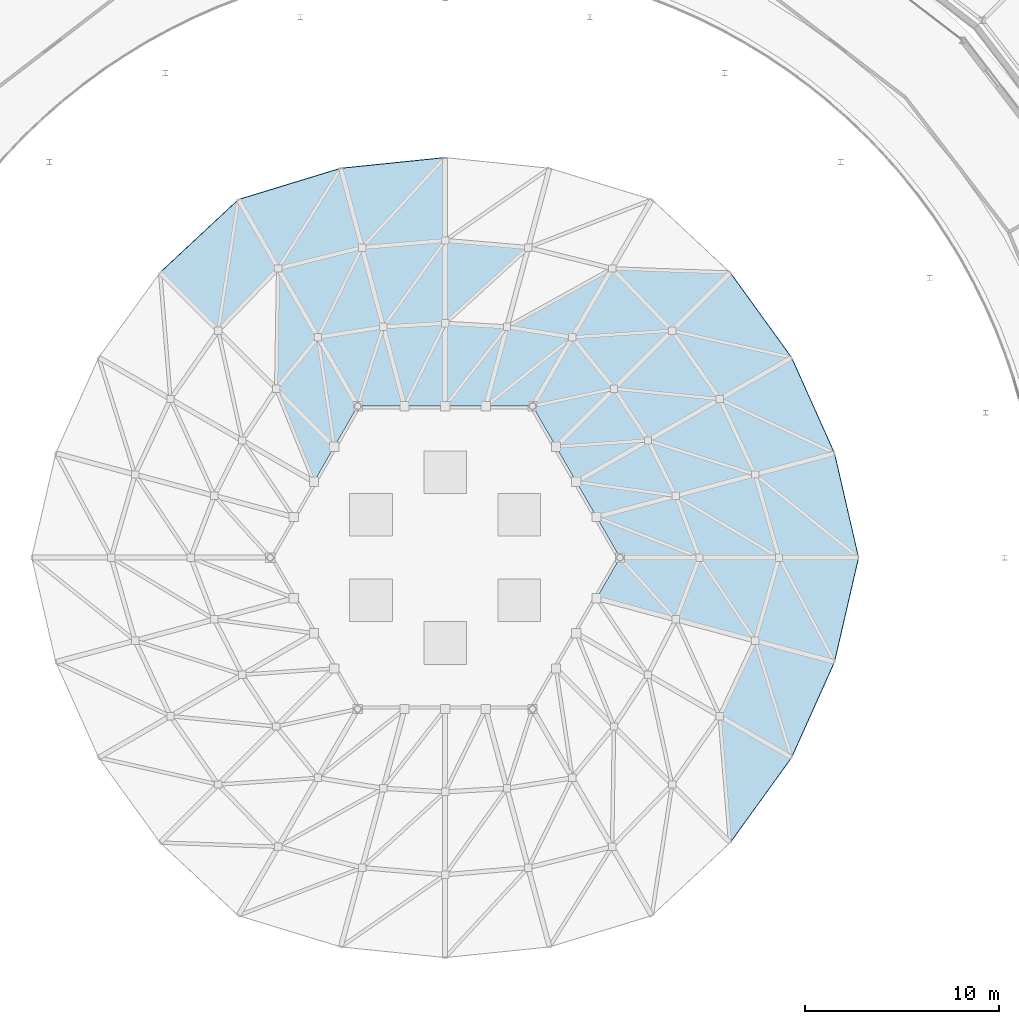
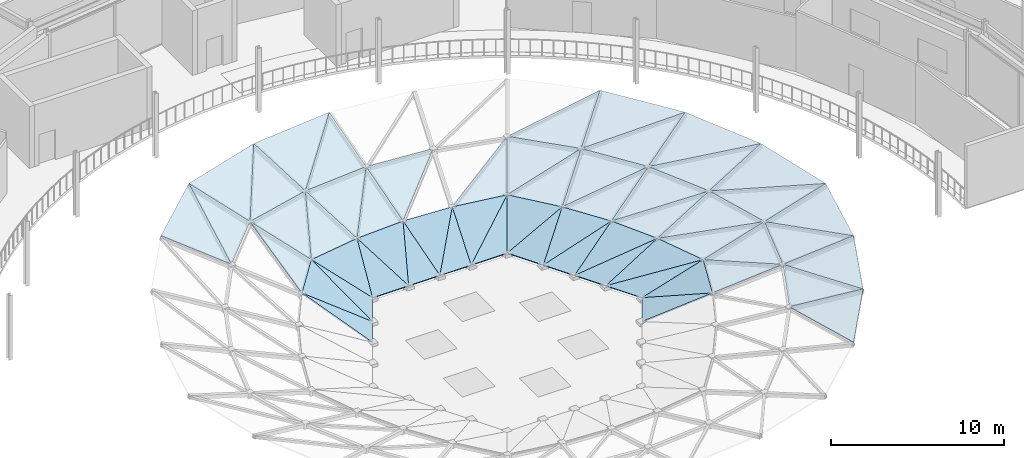
# One storey, part 95 of 116: 56 roofs.
"""IFC4 building model written with IfcOpenShell, lengths in metres."""

from ifc_helpers import new_model, si_unit, direction, frame, origin, place, context, subcontext, project, spatial, polyline, outline, extrude, material, layer, layer_set, type_object, element, save


model = new_model("IFC4")

# Units and contexts
model_context = context("Model", 3, precision=1e-05, world=origin(), true_north=direction((0.0, 1.0)))
body_context = subcontext(model_context, "Body", "Model", "MODEL_VIEW")
ifc_project = project(units=[si_unit("LENGTHUNIT", "METRE"), si_unit("AREAUNIT", "SQUARE_METRE"), si_unit("VOLUMEUNIT", "CUBIC_METRE"), si_unit("PLANEANGLEUNIT", "RADIAN"), si_unit("MASSUNIT", "GRAM", prefix="KILO")], contexts=[model_context])

# Site, building, storey
site_placement = place(None, origin())
site = spatial("IfcSite", under=ifc_project, at=site_placement, CompositionType="ELEMENT")
building_placement = place(site_placement, origin())
building = spatial("IfcBuilding", under=site, at=building_placement, Name="Almandine Court Research Institute", CompositionType="ELEMENT")
storey_placement = place(building_placement, frame((0.0, 0.0, 14.35009765625)))
storey = spatial("IfcBuildingStorey", under=building, at=storey_placement, Name="L03", CompositionType="ELEMENT", Elevation=14.35009765625)

# Roofs
ifc_material = material(Name="Insulated Laminated Low-E Glass Roof Panel", Category="glass")
ifc_layer = layer(ifc_material, 0.080078125)
ifc_layer_set = layer_set([ifc_layer], Name="Insulated Laminated Low-E Glass Roof Panel")
roof_type = type_object("IfcRoofType", Name="Roof-GS-Facet", PredefinedType="PAVILION_ROOF", material=ifc_layer_set)
roof_1_placement = place(storey_placement, frame((108.279052734375, 56.0, 4.930908203125), z_axis=(-0.277966490196, -0.064133475984, 0.958447456873), x_axis=(-0.224817447322, 0.974400900749, 0.0)))
element("IfcRoof", 1, at=roof_1_placement, inside=storey, type_object=roof_type, Name="Atrium Conical Gridshell Roof Facet R4-S00-1", PredefinedType="PAVILION_ROOF", context=body_context, shape_type="SweptSolid", body=[
    extrude(outline(polyline([(0.0, 0.0), (5.51119891553336, 0.0), (5.362683994164227, 4.4066461377195925), (0.0, 0.0)])), origin(), (0.0, 0.0, -1.0), 0.080078125),
])
roof_2_placement = place(storey_placement, frame((108.279052734375, 56.0, 4.930908203125), z_axis=(-0.292554817802, -0.084021396228, 0.952550305001), x_axis=(-0.766615252197, 0.616035766322, -0.181110435126)))
element("IfcRoof", 2, at=roof_2_placement, inside=storey, type_object=roof_type, Name="Atrium Conical Gridshell Roof Facet R4-S00-2", PredefinedType="PAVILION_ROOF", context=body_context, shape_type="SweptSolid", body=[
    extrude(outline(polyline([(0.0, 0.0), (6.94095885338216, -6.661338147750939e-16), (3.3654400228382633, 2.6470467828010493), (0.0, 0.0)])), origin(), (0.0, 0.0, -1.0), 0.080078125),
])
roof_3_placement = place(storey_placement, frame((107.0400390625, 61.3701171875, 4.930908203125), z_axis=(-0.259163415969, -0.116245815372, 0.958812408259), x_axis=(-0.409258497227, 0.912418479892, 0.0)))
element("IfcRoof", 3, at=roof_3_placement, inside=storey, type_object=roof_type, Name="Atrium Conical Gridshell Roof Facet R4-S01-1", PredefinedType="PAVILION_ROOF", context=body_context, shape_type="SweptSolid", body=[
    extrude(outline(polyline([(0.0, 0.0), (5.39752843244166, 0.0), (4.963349350704812, 4.425713751667219), (0.0, 0.0)])), origin(), (0.0, 0.0, -1.0), 0.080078125),
])
roof_4_placement = place(storey_placement, frame((107.0400390625, 61.3701171875, 4.930908203125), z_axis=(-0.261896050242, -0.12272161319, 0.957261648936), x_axis=(-0.887687863886, 0.41985187193, -0.189036139259)))
element("IfcRoof", 4, at=roof_4_placement, inside=storey, type_object=roof_type, Name="Atrium Conical Gridshell Roof Facet R4-S01-2", PredefinedType="PAVILION_ROOF", context=body_context, shape_type="SweptSolid", body=[
    extrude(outline(polyline([(0.0, 0.0), (6.649945788413482, 1.6653345369377348e-16), (3.4017851746166565, 2.805074774530369), (0.0, 0.0)])), origin(), (0.0, 0.0, -1.0), 0.080078125),
])
roof_5_placement = place(storey_placement, frame((104.8310546875, 66.294921875, 4.930908203125), z_axis=(-0.233848985594, -0.168966331778, 0.9574784753), x_axis=(-0.585662293375, 0.810555166611, 0.0)))
element("IfcRoof", 5, at=roof_5_placement, inside=storey, type_object=roof_type, Name="Atrium Conical Gridshell Roof Facet R4-S02-1", PredefinedType="PAVILION_ROOF", context=body_context, shape_type="SweptSolid", body=[
    extrude(outline(polyline([(0.0, 0.0), (5.397535146552004, 0.0), (4.725546895689076, 4.357225452914407), (0.0, 0.0)])), origin(), (0.0, 0.0, -1.0), 0.080078125),
])
roof_6_placement = place(storey_placement, frame((104.8310546875, 66.294921875, 4.930908203125), z_axis=(-0.23263468825, -0.162264994454, 0.95893230908), x_axis=(-0.956657038881, 0.215776735534, -0.195570218494)))
element("IfcRoof", 6, at=roof_6_placement, inside=storey, type_object=roof_type, Name="Atrium Conical Gridshell Roof Facet R4-S02-2", PredefinedType="PAVILION_ROOF", context=body_context, shape_type="SweptSolid", body=[
    extrude(outline(polyline([(0.0, 0.0), (6.4277684394260675, -2.220446049250313e-16), (3.319615026541278, 2.9589879625093998), (0.0, 0.0)])), origin(), (0.0, 0.0, -1.0), 0.080078125),
])
roof_7_placement = place(storey_placement, frame((101.669921875, 70.669921875, 4.930908203125), z_axis=(-0.205217101532, -0.1980175998, 0.958475336881), x_axis=(-0.978690071539, 0.03432551655, -0.202453705289)))
element("IfcRoof", 7, at=roof_7_placement, inside=storey, type_object=roof_type, Name="Atrium Conical Gridshell Roof Facet R4-S03-2", PredefinedType="PAVILION_ROOF", context=body_context, shape_type="SweptSolid", body=[
    extrude(outline(polyline([(0.0, 0.0), (6.209222381628365, 0.0), (3.076296854745098, 3.158065787520644), (0.0, 0.0)])), origin(), (0.0, 0.0, -1.0), 0.080078125),
])
roof_8_placement = place(storey_placement, frame((87.0, 76.590087890625, 4.930908203125), z_axis=(0.029394924214, -0.286982136268, 0.957484825934), x_axis=(-0.994795200438, -0.101894598408, 0.0)))
element("IfcRoof", 8, at=roof_8_placement, inside=storey, type_object=roof_type, Name="Atrium Conical Gridshell Roof Facet R4-S06-1", PredefinedType="PAVILION_ROOF", context=body_context, shape_type="SweptSolid", body=[
    extrude(outline(polyline([(0.0, 0.0), (5.398213808363336, -1.1102230246251565e-16), (4.725607752948539, 4.3575437988811565), (0.0, 0.0)])), origin(), (0.0, 0.0, -1.0), 0.080078125),
])
roof_9_placement = place(storey_placement, frame((87.0, 76.590087890625, 4.930908203125), z_axis=(0.024184624014, -0.282568048691, 0.958942334982), x_axis=(-0.665192848103, -0.720606595127, -0.195562291589)))
element("IfcRoof", 9, at=roof_9_placement, inside=storey, type_object=roof_type, Name="Atrium Conical Gridshell Roof Facet R4-S06-2", PredefinedType="PAVILION_ROOF", context=body_context, shape_type="SweptSolid", body=[
    extrude(outline(polyline([(0.0, 0.0), (6.428028982036015, -3.885780586188048e-16), (3.320026826817718, 2.959289563474158), (0.0, 0.0)])), origin(), (0.0, 0.0, -1.0), 0.080078125),
])
roof_10_placement = place(storey_placement, frame((81.6298828125, 76.0400390625, 4.930908203125), z_axis=(0.087950302591, -0.287453502986, 0.95374798972), x_axis=(-0.956242466302, -0.292575367453, 0.0)))
element("IfcRoof", 10, at=roof_10_placement, inside=storey, type_object=roof_type, Name="Atrium Conical Gridshell Roof Facet R4-S07-1", PredefinedType="PAVILION_ROOF", context=body_context, shape_type="SweptSolid", body=[
    extrude(outline(polyline([(0.0, 0.0), (5.509898392714906, -2.220446049250313e-16), (4.590680245204652, 4.181801027849726), (0.0, 0.0)])), origin(), (0.0, 0.0, -1.0), 0.080078125),
])
roof_11_placement = place(storey_placement, frame((81.6298828125, 76.0400390625, 4.930908203125), z_axis=(0.068897368868, -0.276700470974, 0.958483177696), x_axis=(-0.519001013928, -0.830456663677, -0.202434377753)))
element("IfcRoof", 11, at=roof_11_placement, inside=storey, type_object=roof_type, Name="Atrium Conical Gridshell Roof Facet R4-S07-2", PredefinedType="PAVILION_ROOF", context=body_context, shape_type="SweptSolid", body=[
    extrude(outline(polyline([(0.0, 0.0), (6.209815210635279, -4.996003610813204e-16), (3.0765154988535137, 3.158423538770946), (0.0, 0.0)])), origin(), (0.0, 0.0, -1.0), 0.080078125),
])
roof_12_placement = place(storey_placement, frame((76.361083984375, 74.427978515625, 4.930908203125), z_axis=(0.194544958843, -0.208674840216, 0.958439914679), x_axis=(-0.73143670185, -0.681909342352, 0.0)))
element("IfcRoof", 12, at=roof_12_placement, inside=storey, type_object=roof_type, Name="Atrium Conical Gridshell Roof Facet R4-S08-1", PredefinedType="PAVILION_ROOF", context=body_context, shape_type="SweptSolid", body=[
    extrude(outline(polyline([(0.0, 0.0), (5.511079563249041, 0.0), (5.363089975140266, 4.406254751899209), (0.0, 0.0)])), origin(), (0.0, 0.0, -1.0), 0.080078125),
])
roof_13_placement = place(storey_placement, frame((76.361083984375, 74.427978515625, 4.930908203125), z_axis=(0.219049677449, -0.211364896208, 0.952545074766), x_axis=(-0.150261509077, -0.97191620291, -0.18110873367)))
element("IfcRoof", 13, at=roof_13_placement, inside=storey, type_object=roof_type, Name="Atrium Conical Gridshell Roof Facet R4-S08-2", PredefinedType="PAVILION_ROOF", context=body_context, shape_type="SweptSolid", body=[
    extrude(outline(polyline([(0.0, 0.0), (6.941024061338815, 5.551115123125783e-17), (3.3656154027943637, 2.646706406028168), (0.0, 0.0)])), origin(), (0.0, 0.0, -1.0), 0.080078125),
])
roof_14_placement = place(storey_placement, frame((101.669921875, 41.330078125, 4.930908203125), z_axis=(-0.230232956169, 0.166353589089, 0.958811383584), x_axis=(0.585662293375, 0.810555166611, 0.0)))
element("IfcRoof", 14, at=roof_14_placement, inside=storey, type_object=roof_type, Name="Atrium Conical Gridshell Roof Facet R4-S21-1", PredefinedType="PAVILION_ROOF", context=body_context, shape_type="SweptSolid", body=[
    extrude(outline(polyline([(0.0, 0.0), (5.397535146552004, 4.440892098500626e-16), (4.962807064144317, 4.4256598582675), (0.0, 0.0)])), origin(), (0.0, 0.0, -1.0), 0.080078125),
])
roof_15_placement = place(storey_placement, frame((104.8310546875, 45.705078125, 4.930908203125), z_axis=(-0.263214041256, 0.118062693103, 0.957486067253), x_axis=(0.409258497227, 0.912418479892, 0.0)))
element("IfcRoof", 15, at=roof_15_placement, inside=storey, type_object=roof_type, Name="Atrium Conical Gridshell Roof Facet R4-S22-1", PredefinedType="PAVILION_ROOF", context=body_context, shape_type="SweptSolid", body=[
    extrude(outline(polyline([(0.0, 0.0), (5.39752843244166, 0.0), (4.725325686651123, 4.357606032387501), (0.0, 0.0)])), origin(), (0.0, 0.0, -1.0), 0.080078125),
])
roof_16_placement = place(storey_placement, frame((104.8310546875, 45.705078125, 4.930908203125), z_axis=(-0.256834771019, 0.120349953325, 0.958932630131), x_axis=(-0.291394922162, 0.936398645851, -0.195567316764)))
element("IfcRoof", 16, at=roof_16_placement, inside=storey, type_object=roof_type, Name="Atrium Conical Gridshell Roof Facet R4-S22-2", PredefinedType="PAVILION_ROOF", context=body_context, shape_type="SweptSolid", body=[
    extrude(outline(polyline([(0.0, 0.0), (6.427863811440379, -3.885780586188048e-16), (3.3194461062989538, 2.9591774590400766), (0.0, 0.0)])), origin(), (0.0, 0.0, -1.0), 0.080078125),
])
roof_17_placement = place(storey_placement, frame((107.0400390625, 50.6298828125, 4.930908203125), z_axis=(-0.292921702461, 0.067583998908, 0.953744871189), x_axis=(0.224817447322, 0.974400900749, 0.0)))
element("IfcRoof", 17, at=roof_17_placement, inside=storey, type_object=roof_type, Name="Atrium Conical Gridshell Roof Facet R4-S23-1", PredefinedType="PAVILION_ROOF", context=body_context, shape_type="SweptSolid", body=[
    extrude(outline(polyline([(0.0, 0.0), (5.51119891553336, 0.0), (4.5910171517744685, 4.181663393830806), (0.0, 0.0)])), origin(), (0.0, 0.0, -1.0), 0.080078125),
])
roof_18_placement = place(storey_placement, frame((107.0400390625, 50.6298828125, 4.930908203125), z_axis=(-0.274069469727, 0.078712426215, 0.958483322611), x_axis=(-0.45958405155, 0.864757125568, -0.202429279849)))
element("IfcRoof", 18, at=roof_18_placement, inside=storey, type_object=roof_type, Name="Atrium Conical Gridshell Roof Facet R4-S23-2", PredefinedType="PAVILION_ROOF", context=body_context, shape_type="SweptSolid", body=[
    extrude(outline(polyline([(0.0, 0.0), (6.209971596327308, 2.7755575615628914e-16), (3.0767566261356807, 3.1581886467528286), (0.0, 0.0)])), origin(), (0.0, 0.0, -1.0), 0.080078125),
])
roof_19_placement = place(storey_placement, frame((104.18603515625, 56.0, 3.673828125), z_axis=(-0.274024583997, -0.078699535087, 0.958497214676), x_axis=(-0.276040029853, 0.96114613973, 0.0)))
element("IfcRoof", 19, at=roof_19_placement, inside=storey, type_object=roof_type, Name="Atrium Conical Gridshell Roof Facet R5-S00-1", PredefinedType="PAVILION_ROOF", context=body_context, shape_type="SweptSolid", body=[
    extrude(outline(polyline([(0.0, 0.0), (4.4487292093261175, 0.0), (4.5240449922872505, 4.408374577134621), (0.0, 0.0)])), origin(), (0.0, 0.0, -1.0), 0.080078125),
])
roof_20_placement = place(storey_placement, frame((104.18603515625, 56.0, 3.673828125), z_axis=(-0.291707988147, -0.11157556364, 0.949977548813), x_axis=(-0.840637552173, 0.503725481263, -0.198970212349)))
element("IfcRoof", 20, at=roof_20_placement, inside=storey, type_object=roof_type, Name="Atrium Conical Gridshell Roof Facet R5-S00-2", PredefinedType="PAVILION_ROOF", context=body_context, shape_type="SweptSolid", body=[
    extrude(outline(polyline([(0.0, 0.0), (6.31670400640763, 2.7755575615628914e-16), (3.6908171912495162, 2.1703220796482663), (0.0, 0.0)])), origin(), (0.0, 0.0, -1.0), 0.080078125),
])
roof_21_placement = place(storey_placement, frame((102.9580078125, 60.27587890625, 3.673828125), z_axis=(-0.256867608122, -0.120365340431, 0.958921903348), x_axis=(-0.424314361359, 0.905514948935, 0.0)))
element("IfcRoof", 21, at=roof_21_placement, inside=storey, type_object=roof_type, Name="Atrium Conical Gridshell Roof Facet R5-S01-1", PredefinedType="PAVILION_ROOF", context=body_context, shape_type="SweptSolid", body=[
    extrude(outline(polyline([(0.0, 0.0), (4.291735297490698, 0.0), (3.9280431541461507, 4.430623767964595), (0.0, 0.0)])), origin(), (0.0, 0.0, -1.0), 0.080078125),
])
roof_22_placement = place(storey_placement, frame((102.9580078125, 60.27587890625, 3.673828125), z_axis=(-0.25962706232, -0.130525691797, 0.956847340119), x_axis=(-0.931224729998, 0.296251923181, -0.212262338279)))
element("IfcRoof", 22, at=roof_22_placement, inside=storey, type_object=roof_type, Name="Atrium Conical Gridshell Roof Facet R5-S01-2", PredefinedType="PAVILION_ROOF", context=body_context, shape_type="SweptSolid", body=[
    extrude(outline(polyline([(0.0, 0.0), (5.921144314580352, 2.220446049250313e-16), (3.743969515443332, 2.328547003373761), (0.0, 0.0)])), origin(), (0.0, 0.0, -1.0), 0.080078125),
])
roof_23_placement = place(storey_placement, frame((101.136962890625, 64.162109375, 3.673828125), z_axis=(-0.237217411891, -0.16546148949, 0.957261926012), x_axis=(-0.572090824344, 0.820190275912, 0.0)))
element("IfcRoof", 23, at=roof_23_placement, inside=storey, type_object=roof_type, Name="Atrium Conical Gridshell Roof Facet R5-S02-1", PredefinedType="PAVILION_ROOF", context=body_context, shape_type="SweptSolid", body=[
    extrude(outline(polyline([(0.0, 0.0), (4.291413217146875, 0.0), (3.5501434202018345, 4.345568928247767), (0.0, 0.0)])), origin(), (0.0, 0.0, -1.0), 0.080078125),
])
roof_24_placement = place(storey_placement, frame((101.136962890625, 64.162109375, 3.673828125), z_axis=(-0.236658485504, -0.155458946489, 0.95907521978), x_axis=(-0.969971656582, 0.094804352727, -0.223980177989)))
element("IfcRoof", 24, at=roof_24_placement, inside=storey, type_object=roof_type, Name="Atrium Conical Gridshell Roof Facet R5-S02-2", PredefinedType="PAVILION_ROOF", context=body_context, shape_type="SweptSolid", body=[
    extrude(outline(polyline([(0.0, 0.0), (5.611371277518074, 5.551115123125783e-17), (3.6613561575635334, 2.521342903267013), (0.0, 0.0)])), origin(), (0.0, 0.0, -1.0), 0.080078125),
])
roof_25_placement = place(storey_placement, frame((98.681884765625, 67.681884765625, 3.673828125), z_axis=(-0.219000955683, -0.211317883717, 0.952566708127), x_axis=(-0.694371168279, 0.719617037502, 0.0)))
element("IfcRoof", 25, at=roof_25_placement, inside=storey, type_object=roof_type, Name="Atrium Conical Gridshell Roof Facet R5-S03-1", PredefinedType="PAVILION_ROOF", context=body_context, shape_type="SweptSolid", body=[
    extrude(outline(polyline([(0.0, 0.0), (4.448438138864603, -4.440892098500626e-16), (3.319615221296734, 4.129847521212984), (0.0, 0.0)])), origin(), (0.0, 0.0, -1.0), 0.080078125),
])
roof_26_placement = place(storey_placement, frame((98.681884765625, 67.681884765625, 3.673828125), z_axis=(-0.222398188269, -0.180624114692, 0.958078271879), x_axis=(-0.969304478605, -0.064690948708, -0.237200145261)))
element("IfcRoof", 26, at=roof_26_placement, inside=storey, type_object=roof_type, Name="Atrium Conical Gridshell Roof Facet R5-S03-2", PredefinedType="PAVILION_ROOF", context=body_context, shape_type="SweptSolid", body=[
    extrude(outline(polyline([(0.0, 0.0), (5.298630555712862, 2.7755575615628914e-17), (3.3874859343880916, 2.8210617267862497), (0.0, 0.0)])), origin(), (0.0, 0.0, -1.0), 0.080078125),
])
roof_27_placement = place(storey_placement, frame((95.593017578125, 70.883056640625, 3.673828125), z_axis=(-0.049227625642, -0.308461779775, 0.949962089397), x_axis=(-0.856619589335, -0.476041485374, -0.198965784421)))
element("IfcRoof", 27, at=roof_27_placement, inside=storey, type_object=roof_type, Name="Atrium Conical Gridshell Roof Facet R5-S04-2", PredefinedType="PAVILION_ROOF", context=body_context, shape_type="SweptSolid", body=[
    extrude(outline(polyline([(0.0, 0.0), (6.316844582903866, 1.1102230246251565e-16), (3.690734696402816, 2.169875371643238), (0.0, 0.0)])), origin(), (0.0, 0.0, -1.0), 0.080078125),
])
roof_28_placement = place(storey_placement, frame((91.27587890625, 71.9580078125, 3.673828125), z_axis=(-0.024186668983, -0.28259194167, 0.958935242624), x_axis=(-0.996357290731, 0.085276897271, 0.0)))
element("IfcRoof", 28, at=roof_28_placement, inside=storey, type_object=roof_type, Name="Atrium Conical Gridshell Roof Facet R5-S05-1", PredefinedType="PAVILION_ROOF", context=body_context, shape_type="SweptSolid", body=[
    extrude(outline(polyline([(0.0, 0.0), (4.291511635464669, 1.1102230246251565e-16), (3.9278148292078763, 4.431328233143628), (0.0, 0.0)])), origin(), (0.0, 0.0, -1.0), 0.080078125),
])
roof_29_placement = place(storey_placement, frame((87.0, 72.323974609375, 3.673828125), z_axis=(0.024660696234, -0.288130376146, 0.957273595375), x_axis=(-0.996357290731, -0.085276897271, 0.0)))
element("IfcRoof", 29, at=roof_29_placement, inside=storey, type_object=roof_type, Name="Atrium Conical Gridshell Roof Facet R5-S06-1", PredefinedType="PAVILION_ROOF", context=body_context, shape_type="SweptSolid", body=[
    extrude(outline(polyline([(0.0, 0.0), (4.291511635464669, -1.1102230246251565e-16), (3.549605556999933, 4.346149358941427), (0.0, 0.0)])), origin(), (0.0, 0.0, -1.0), 0.080078125),
])
roof_30_placement = place(storey_placement, frame((87.0, 72.323974609375, 3.673828125), z_axis=(0.016264707479, -0.282637243436, 0.959088967674), x_axis=(-0.567031239341, -0.792660335268, -0.223975816783)))
element("IfcRoof", 30, at=roof_30_placement, inside=storey, type_object=roof_type, Name="Atrium Conical Gridshell Roof Facet R5-S06-2", PredefinedType="PAVILION_ROOF", context=body_context, shape_type="SweptSolid", body=[
    extrude(outline(polyline([(0.0, 0.0), (5.611480540865466, -3.0531133177191805e-16), (3.6621120365239217, 2.5214838307401117), (0.0, 0.0)])), origin(), (0.0, 0.0, -1.0), 0.080078125),
])
roof_31_placement = place(storey_placement, frame((82.72412109375, 71.9580078125, 3.673828125), z_axis=(0.073538424794, -0.295339533415, 0.952557956284), x_axis=(-0.970371254748, -0.241618765744, 0.0)))
element("IfcRoof", 31, at=roof_31_placement, inside=storey, type_object=roof_type, Name="Atrium Conical Gridshell Roof Facet R5-S07-1", PredefinedType="PAVILION_ROOF", context=body_context, shape_type="SweptSolid", body=[
    extrude(outline(polyline([(0.0, 0.0), (4.448955645330045, 1.1102230246251565e-16), (3.3187737684950145, 4.129475832714017), (0.0, 0.0)])), origin(), (0.0, 0.0, -1.0), 0.080078125),
])
roof_32_placement = place(storey_placement, frame((82.72412109375, 71.9580078125, 3.673828125), z_axis=(0.045146782352, -0.282891093236, 0.958088929803), x_axis=(-0.428482325092, -0.871849549194, -0.237236718603)))
element("IfcRoof", 32, at=roof_32_placement, inside=storey, type_object=roof_type, Name="Atrium Conical Gridshell Roof Facet R5-S07-2", PredefinedType="PAVILION_ROOF", context=body_context, shape_type="SweptSolid", body=[
    extrude(outline(polyline([(0.0, 0.0), (5.297813698066373, 1.942890293094024e-16), (3.3883275857332125, 2.821112378344619), (0.0, 0.0)])), origin(), (0.0, 0.0, -1.0), 0.080078125),
])
roof_33_placement = place(storey_placement, frame((78.406982421875, 70.883056640625, 3.673828125), z_axis=(0.242412801021, -0.196879290768, 0.94998662031), x_axis=(-0.016002627322, -0.979871020808, -0.198989191918)))
element("IfcRoof", 33, at=roof_33_placement, inside=storey, type_object=roof_type, Name="Atrium Conical Gridshell Roof Facet R5-S08-2", PredefinedType="PAVILION_ROOF", context=body_context, shape_type="SweptSolid", body=[
    extrude(outline(polyline([(0.0, 0.0), (6.316101519819079, 0.0), (3.6899467939311013, 2.1712149561139853), (0.0, 0.0)])), origin(), (0.0, 0.0, -1.0), 0.080078125),
])
roof_34_placement = place(storey_placement, frame((102.9580078125, 51.72412109375, 3.673828125), z_axis=(-0.292503262667, 0.084006589655, 0.952567443399), x_axis=(0.276040029853, 0.96114613973, 0.0)))
element("IfcRoof", 34, at=roof_34_placement, inside=storey, type_object=roof_type, Name="Atrium Conical Gridshell Roof Facet R5-S23-1", PredefinedType="PAVILION_ROOF", context=body_context, shape_type="SweptSolid", body=[
    extrude(outline(polyline([(0.0, 0.0), (4.4487292093261175, 0.0), (3.318892514871909, 4.129878752759763), (0.0, 0.0)])), origin(), (0.0, 0.0, -1.0), 0.080078125),
])
roof_35_placement = place(storey_placement, frame((102.9580078125, 51.72412109375, 3.673828125), z_axis=(-0.267563351652, 0.102340467121, 0.95808991313), x_axis=(-0.540747625793, 0.807043367545, -0.23721932489)))
element("IfcRoof", 35, at=roof_35_placement, inside=storey, type_object=roof_type, Name="Atrium Conical Gridshell Roof Facet R5-S23-2", PredefinedType="PAVILION_ROOF", context=body_context, shape_type="SweptSolid", body=[
    extrude(outline(polyline([(0.0, 0.0), (5.298202151463203, -4.163336342344337e-16), (3.3883951947655864, 2.821031173804958), (0.0, 0.0)])), origin(), (0.0, 0.0, -1.0), 0.080078125),
])
roof_36_placement = place(storey_placement, frame((100.093017578125, 56.0, 2.4169921875), z_axis=(-0.267611059546, -0.102358714942, 0.958074639203), x_axis=(-0.357249639578, 0.934008937335, 0.0)))
element("IfcRoof", 36, at=roof_36_placement, inside=storey, type_object=roof_type, Name="Atrium Conical Gridshell Roof Facet R6-S00-1", PredefinedType="PAVILION_ROOF", context=body_context, shape_type="SweptSolid", body=[
    extrude(outline(polyline([(0.0, 0.0), (3.406696272847052, 0.0), (3.8432001609182174, 4.387427148593571), (0.0, 0.0)])), origin(), (0.0, 0.0, -1.0), 0.080078125),
])
roof_37_placement = place(storey_placement, frame((100.093017578125, 56.0, 2.4169921875), z_axis=(-0.289459851461, -0.167204357603, 0.942473181152), x_axis=(-0.908520171014, 0.357966574638, -0.215525010852)))
element("IfcRoof", 37, at=roof_37_placement, inside=storey, type_object=roof_type, Name="Atrium Conical Gridshell Roof Facet R6-S00-2", PredefinedType="PAVILION_ROOF", context=body_context, shape_type="SweptSolid", body=[
    extrude(outline(polyline([(0.0, 0.0), (5.832641293710571, 5.551115123125783e-17), (3.9895212275214598, 1.5545943499236905), (0.0, 0.0)])), origin(), (0.0, 0.0, -1.0), 0.080078125),
])
roof_38_placement = place(storey_placement, frame((98.8759765625, 59.181884765625, 2.4169921875), z_axis=(-0.252943825079, -0.127165740964, 0.959087220058), x_axis=(-0.449173106182, 0.893444749653, 0.0)))
element("IfcRoof", 38, at=roof_38_placement, inside=storey, type_object=roof_type, Name="Atrium Conical Gridshell Roof Facet R6-S01-1", PredefinedType="PAVILION_ROOF", context=body_context, shape_type="SweptSolid", body=[
    extrude(outline(polyline([(0.0, 0.0), (3.187823905569165, 2.220446049250313e-16), (2.9413423362126205, 4.440241209060591), (0.0, 0.0)])), origin(), (0.0, 0.0, -1.0), 0.080078125),
])
roof_39_placement = place(storey_placement, frame((98.8759765625, 59.181884765625, 2.4169921875), z_axis=(-0.25489647489, -0.147090057575, 0.955715596844), x_axis=(-0.962427667896, 0.134261318311, -0.236023054963)))
element("IfcRoof", 39, at=roof_39_placement, inside=storey, type_object=roof_type, Name="Atrium Conical Gridshell Roof Facet R6-S01-2", PredefinedType="PAVILION_ROOF", context=body_context, shape_type="SweptSolid", body=[
    extrude(outline(polyline([(0.0, 0.0), (5.326090192011077, -2.7755575615628914e-17), (4.078478601041782, 1.675131317049925), (0.0, 0.0)])), origin(), (0.0, 0.0, -1.0), 0.080078125),
])
roof_40_placement = place(storey_placement, frame((97.444091796875, 62.030029296875, 2.4169921875), z_axis=(-0.242948220284, -0.159590619776, 0.956821298018), x_axis=(-0.549031151656, 0.835801887119, 0.0)))
element("IfcRoof", 40, at=roof_40_placement, inside=storey, type_object=roof_type, Name="Atrium Conical Gridshell Roof Facet R6-S02-1", PredefinedType="PAVILION_ROOF", context=body_context, shape_type="SweptSolid", body=[
    extrude(outline(polyline([(0.0, 0.0), (3.1874329803003314, 0.0), (2.3305513808538896, 4.32466597338489), (0.0, 0.0)])), origin(), (0.0, 0.0, -1.0), 0.080078125),
])
roof_41_placement = place(storey_placement, frame((97.444091796875, 62.030029296875, 2.4169921875), z_axis=(-0.244835211581, -0.141284124793, 0.959215572878), x_axis=(-0.964454967992, -0.0659469131, -0.255885949925)))
element("IfcRoof", 41, at=roof_41_placement, inside=storey, type_object=roof_type, Name="Atrium Conical Gridshell Roof Facet R6-S02-2", PredefinedType="PAVILION_ROOF", context=body_context, shape_type="SweptSolid", body=[
    extrude(outline(polyline([(0.0, 0.0), (4.91265768399886, -1.1102230246251565e-16), (4.025122816551633, 1.8907356955290664), (0.0, 0.0)])), origin(), (0.0, 0.0, -1.0), 0.080078125),
])
roof_42_placement = place(storey_placement, frame((95.694091796875, 64.694091796875, 2.4169921875), z_axis=(-0.242465482407, -0.196922076768, 0.949964307499), x_axis=(-0.630436165424, 0.776241097421, 0.0)))
element("IfcRoof", 42, at=roof_42_placement, inside=storey, type_object=roof_type, Name="Atrium Conical Gridshell Roof Facet R6-S03-1", PredefinedType="PAVILION_ROOF", context=body_context, shape_type="SweptSolid", body=[
    extrude(outline(polyline([(0.0, 0.0), (3.407471647711367, 0.0), (1.9453764549883759, 4.024478906037706), (0.0, 0.0)])), origin(), (0.0, 0.0, -1.0), 0.080078125),
])
roof_43_placement = place(storey_placement, frame((95.694091796875, 64.694091796875, 2.4169921875), z_axis=(-0.254855057782, -0.147215152648, 0.955707381134), x_axis=(-0.938275099791, -0.201374951565, -0.281225827395)))
element("IfcRoof", 43, at=roof_43_placement, inside=storey, type_object=roof_type, Name="Atrium Conical Gridshell Roof Facet R6-S03-2", PredefinedType="PAVILION_ROOF", context=body_context, shape_type="SweptSolid", body=[
    extrude(outline(polyline([(0.0, 0.0), (4.470002239011251, 1.3877787807814457e-17), (3.7588400302253597, 2.303932178688944), (0.0, 0.0)])), origin(), (0.0, 0.0, -1.0), 0.080078125),
])
roof_44_placement = place(storey_placement, frame((93.5458984375, 67.339111328125, 2.4169921875), z_axis=(-0.045154832234, -0.282941534039, 0.958073655541), x_axis=(-0.987503611538, 0.157596374321, 0.0)))
element("IfcRoof", 44, at=roof_44_placement, inside=storey, type_object=roof_type, Name="Atrium Conical Gridshell Roof Facet R6-S04-1", PredefinedType="PAVILION_ROOF", context=body_context, shape_type="SweptSolid", body=[
    extrude(outline(polyline([(0.0, 0.0), (3.4065836646767456, 0.0), (3.843593504679481, 4.387376782116842), (0.0, 0.0)])), origin(), (0.0, 0.0, -1.0), 0.080078125),
])
roof_45_placement = place(storey_placement, frame((93.5458984375, 67.339111328125, 2.4169921875), z_axis=(0.0, -0.334201561575, 0.942501626652), x_axis=(-0.764291587457, -0.60779179307, -0.215516833725)))
element("IfcRoof", 45, at=roof_45_placement, inside=storey, type_object=roof_type, Name="Atrium Conical Gridshell Roof Facet R6-S04-2", PredefinedType="PAVILION_ROOF", context=body_context, shape_type="SweptSolid", body=[
    extrude(outline(polyline([(0.0, 0.0), (5.832862595456218, -5.551115123125783e-16), (3.9893076921174675, 1.5554989409634916), (0.0, 0.0)])), origin(), (0.0, 0.0, -1.0), 0.080078125),
])
roof_46_placement = place(storey_placement, frame((90.181884765625, 67.8759765625, 2.4169921875), z_axis=(-0.01626675709, -0.282672860207, 0.959078436165), x_axis=(-0.998348316891, 0.05745118067, 0.0)))
element("IfcRoof", 46, at=roof_46_placement, inside=storey, type_object=roof_type, Name="Atrium Conical Gridshell Roof Facet R6-S05-1", PredefinedType="PAVILION_ROOF", context=body_context, shape_type="SweptSolid", body=[
    extrude(outline(polyline([(0.0, 0.0), (3.1871489256704995, 0.0), (2.9421117854605363, 4.4397745835082665), (0.0, 0.0)])), origin(), (0.0, 0.0, -1.0), 0.080078125),
])
roof_47_placement = place(storey_placement, frame((90.181884765625, 67.8759765625, 2.4169921875), z_axis=(0.0, -0.294314787777, 0.955708535954), x_axis=(-0.59741069901, -0.766416549332, -0.236021460079)))
element("IfcRoof", 47, at=roof_47_placement, inside=storey, type_object=roof_type, Name="Atrium Conical Gridshell Roof Facet R6-S05-2", PredefinedType="PAVILION_ROOF", context=body_context, shape_type="SweptSolid", body=[
    extrude(outline(polyline([(0.0, 0.0), (5.326126182368551, -8.326672684688674e-17), (4.078797984630583, 1.674353495857624), (0.0, 0.0)])), origin(), (0.0, 0.0, -1.0), 0.080078125),
])
roof_48_placement = place(storey_placement, frame((87.0, 68.05908203125, 2.4169921875), z_axis=(0.016698957872, -0.290183357263, 0.956825357092), x_axis=(-0.998348316891, -0.05745118067, 0.0)))
element("IfcRoof", 48, at=roof_48_placement, inside=storey, type_object=roof_type, Name="Atrium Conical Gridshell Roof Facet R6-S06-1", PredefinedType="PAVILION_ROOF", context=body_context, shape_type="SweptSolid", body=[
    extrude(outline(polyline([(0.0, 0.0), (3.1871489256704995, 0.0), (2.3294792315317996, 4.324864775258665), (0.0, 0.0)])), origin(), (0.0, 0.0, -1.0), 0.080078125),
])
roof_49_placement = place(storey_placement, frame((87.0, 68.05908203125, 2.4169921875), z_axis=(0.0, -0.282710266294, 0.959205350971), x_axis=(-0.42503111562, -0.868252290679, -0.255903322536)))
element("IfcRoof", 49, at=roof_49_placement, inside=storey, type_object=roof_type, Name="Atrium Conical Gridshell Roof Facet R6-S06-2", PredefinedType="PAVILION_ROOF", context=body_context, shape_type="SweptSolid", body=[
    extrude(outline(polyline([(0.0, 0.0), (4.9123241764373775, -2.498001805406602e-16), (4.024905694800356, 1.8899142045108641), (0.0, 0.0)])), origin(), (0.0, 0.0, -1.0), 0.080078125),
])
roof_50_placement = place(storey_placement, frame((83.818115234375, 67.8759765625, 2.4169921875), z_axis=(0.049224481487, -0.308442078403, 0.949968649321), x_axis=(-0.987503611538, -0.157596374321, 0.0)))
element("IfcRoof", 50, at=roof_50_placement, inside=storey, type_object=roof_type, Name="Atrium Conical Gridshell Roof Facet R6-S07-1", PredefinedType="PAVILION_ROOF", context=body_context, shape_type="SweptSolid", body=[
    extrude(outline(polyline([(0.0, 0.0), (3.4065836646767456, 0.0), (1.9449568792346867, 4.024649047780993), (0.0, 0.0)])), origin(), (0.0, 0.0, -1.0), 0.080078125),
])
roof_51_placement = place(storey_placement, frame((83.818115234375, 67.8759765625, 2.4169921875), z_axis=(0.0, -0.294314787777, 0.955708535954), x_axis=(-0.294882157136, -0.913211644253, -0.28122767681)))
element("IfcRoof", 51, at=roof_51_placement, inside=storey, type_object=roof_type, Name="Atrium Conical Gridshell Roof Facet R6-S07-2", PredefinedType="PAVILION_ROOF", context=body_context, shape_type="SweptSolid", body=[
    extrude(outline(polyline([(0.0, 0.0), (4.469972843305291, 1.3877787807814457e-16), (3.758684827556352, 2.3048516211710526), (0.0, 0.0)])), origin(), (0.0, 0.0, -1.0), 0.080078125),
])
roof_52_placement = place(storey_placement, frame((80.4541015625, 67.339111328125, 2.4169921875), z_axis=(0.222421159748, -0.180642771333, 0.958069421734), x_axis=(-0.630436165424, -0.776241097421, 0.0)))
element("IfcRoof", 52, at=roof_52_placement, inside=storey, type_object=roof_type, Name="Atrium Conical Gridshell Roof Facet R6-S08-1", PredefinedType="PAVILION_ROOF", context=body_context, shape_type="SweptSolid", body=[
    extrude(outline(polyline([(0.0, 0.0), (3.407471647711367, 0.0), (3.843142195247195, 4.387160018831407), (0.0, 0.0)])), origin(), (0.0, 0.0, -1.0), 0.080078125),
])
roof_53_placement = place(storey_placement, frame((80.4541015625, 67.339111328125, 2.4169921875), z_axis=(0.289414630834, -0.167178236239, 0.942491702238), x_axis=(0.143996200342, -0.965821026303, -0.215533847546)))
element("IfcRoof", 53, at=roof_53_placement, inside=storey, type_object=roof_type, Name="Atrium Conical Gridshell Roof Facet R6-S08-2", PredefinedType="PAVILION_ROOF", context=body_context, shape_type="SweptSolid", body=[
    extrude(outline(polyline([(0.0, 0.0), (5.832402160664355, 0.0), (3.989540786822544, 1.5549010026382675), (0.0, 0.0)])), origin(), (0.0, 0.0, -1.0), 0.080078125),
])
roof_54_placement = place(storey_placement, frame((78.305908203125, 64.694091796875, 2.4169921875), z_axis=(0.254946939491, -0.147119178578, 0.955697653727), x_axis=(0.364981677471, -0.900605924981, -0.236002845322)))
element("IfcRoof", 54, at=roof_54_placement, inside=storey, type_object=roof_type, Name="Atrium Conical Gridshell Roof Facet R6-S09-2", PredefinedType="PAVILION_ROOF", context=body_context, shape_type="SweptSolid", body=[
    extrude(outline(polyline([(0.0, 0.0), (5.326546281301437, -5.551115123125783e-17), (4.078297196525203, 1.6746563329942181), (0.0, 0.0)])), origin(), (0.0, 0.0, -1.0), 0.080078125),
])
roof_55_placement = place(storey_placement, frame((98.8759765625, 52.818115234375, 2.4169921875), z_axis=(-0.291759123838, 0.11159512256, 0.949959547706), x_axis=(0.357249639578, 0.934008937335, 0.0)))
element("IfcRoof", 55, at=roof_55_placement, inside=storey, type_object=roof_type, Name="Atrium Conical Gridshell Roof Facet R6-S23-1", PredefinedType="PAVILION_ROOF", context=body_context, shape_type="SweptSolid", body=[
    extrude(outline(polyline([(0.0, 0.0), (3.406696272847052, -2.220446049250313e-16), (1.9444672182770693, 4.024292411049473), (0.0, 0.0)])), origin(), (0.0, 0.0, -1.0), 0.080078125),
])
roof_56_placement = place(storey_placement, frame((98.8759765625, 52.818115234375, 2.4169921875), z_axis=(-0.25485929817, 0.147217602077, 0.955705873046), x_axis=(-0.643476007663, 0.711920442095, -0.281261287221)))
element("IfcRoof", 56, at=roof_56_placement, inside=storey, type_object=roof_type, Name="Atrium Conical Gridshell Roof Facet R6-S23-2", PredefinedType="PAVILION_ROOF", context=body_context, shape_type="SweptSolid", body=[
    extrude(outline(polyline([(0.0, 0.0), (4.4694386865225635, -2.7755575615628914e-16), (3.7590939250631155, 2.304184343986117), (0.0, 0.0)])), origin(), (0.0, 0.0, -1.0), 0.080078125),
])

save(model, "model.ifc")
